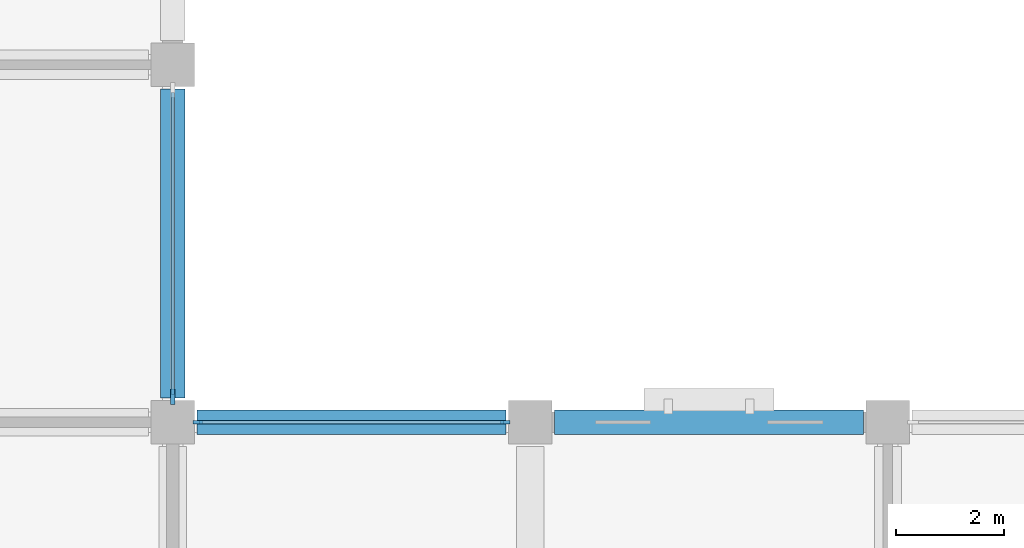
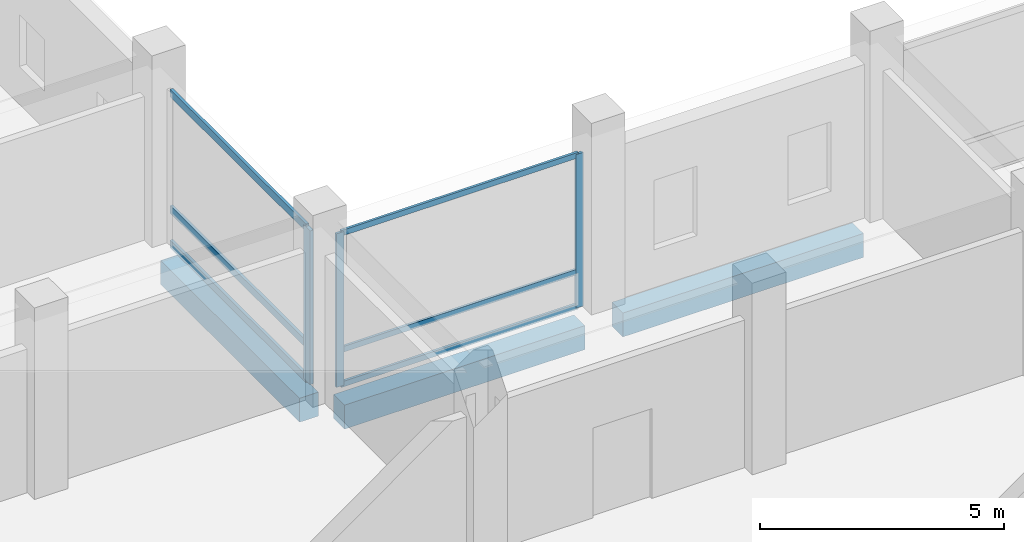
# One storey, part 3 of 34: 9 members, 3 beams, 2 elements without a shape of their own.
"""IFC4 building model written with IfcOpenShell, lengths in metres."""

from ifc_helpers import new_model, si_unit, direction, frame, origin, origin_2d, place, context, subcontext, project, spatial, rectangle, extrude, material, material_profile, profile_set, type_object, element, aggregate, save


model = new_model("IFC4")

# Units and contexts
model_context = context("Model", 3, precision=1e-05, world=origin(), true_north=direction((0.0, 1.0)))
body_context = subcontext(model_context, "Body", "Model", "MODEL_VIEW")
ifc_project = project(units=[si_unit("LENGTHUNIT", "METRE"), si_unit("AREAUNIT", "SQUARE_METRE"), si_unit("VOLUMEUNIT", "CUBIC_METRE"), si_unit("PLANEANGLEUNIT", "RADIAN"), si_unit("MASSUNIT", "GRAM", prefix="KILO")], contexts=[model_context])

# Site, building, storey
site_placement = place(None, origin())
site = spatial("IfcSite", under=ifc_project, at=site_placement, CompositionType="ELEMENT")
building_placement = place(site_placement, origin())
building = spatial("IfcBuilding", under=site, at=building_placement, Name="Rusizi Kubbe Research Institute", CompositionType="ELEMENT")
storey_placement = place(building_placement, frame((0.0, 0.0, 5.39990234375)))
storey = spatial("IfcBuildingStorey", under=building, at=storey_placement, Name="L01", CompositionType="ELEMENT", Elevation=5.39990234375)

# Beams
ifc_material_1 = material(Name="Concrete C40/50", Category="concrete")
ifc_material_profile_1 = material_profile(ifc_material_1, rectangle(XDim=0.449951171875, YDim=0.60009765625, at=origin_2d()), Name="RC450x600")
ifc_profile_set_1 = profile_set([ifc_material_profile_1], Name="Concrete C40/50")
beam_type = type_object("IfcBeamType", Name="BM-RC450x600", PredefinedType="SPANDREL", material=ifc_profile_set_1)
for number, where, z_axis, x_axis, name in (
    (1, (53.25, 26.39990234375, -0.64990234375), (1.0, 0.0, 0.0), (0.0, 1.0, 0.0), "Grid Beam H L01 (8,4)"),
    (2, (59.85009765625, 26.39990234375, -0.64990234375), (1.0, 0.0, 0.0), (0.0, 1.0, 0.0), "Grid Beam H L01 (9,4)"),
    (3, (52.800048828125, 26.85009765625, -0.64990234375), (0.0, 1.0, 0.0), (-1.0, 0.0, 0.0), "Grid Beam V L01 (8,4)"),
):
    element("IfcBeam", number, at=place(storey_placement, frame(where, z_axis=z_axis, x_axis=x_axis)), inside=storey, type_object=beam_type, Name=name, PredefinedType="SPANDREL", context=body_context, shape_type="SweptSolid", body=[
        extrude(rectangle(XDim=0.449951171875, YDim=0.60009765625, at=origin_2d()), origin(), (0.0, 0.0, 1.0), 5.699951171875),
    ])

# Curtain wall, members
ifc_material_2 = material(Name="Thermally Broken Aluminium and Low-E Glazing", Category="aluminium")
curtain_wall_type_1 = type_object("IfcCurtainWallType", Name="CW-18", PredefinedType="NOTDEFINED", material=ifc_material_2)
curtain_wall_1_placement = place(storey_placement, origin())
curtain_wall_1 = element("IfcCurtainWall", 4, at=curtain_wall_1_placement, inside=storey, type_object=curtain_wall_type_1, Name="Unitised Facade Curtain Wall CW-L01-H-08-04", PredefinedType="NOTDEFINED")
ifc_material_3 = material(Name="Aluminium Alloy 6063-T6", Category="aluminium")
ifc_material_profile_2 = material_profile(ifc_material_3, rectangle(XDim=0.06005859375, YDim=0.179931640625, at=origin_2d()), Name="ALU-M 60x180")
ifc_profile_set_2 = profile_set([ifc_material_profile_2], Name="Aluminium Alloy 6063-T6")
member_type_1 = type_object("IfcMemberType", Name="ML-02", PredefinedType="MULLION", material=ifc_profile_set_2)
member_1_placement = place(storey_placement, frame((53.260009765625, 26.39990234375, 0.0), z_axis=(0.0, 0.0, 1.0), x_axis=(0.0, 1.0, 0.0)))
member_1 = element("IfcMember", 5, at=member_1_placement, type_object=member_type_1, Name="CW-18 mullion 1", PredefinedType="MULLION", context=body_context, shape_type="SweptSolid", body=[
    extrude(rectangle(XDim=0.06005859375, YDim=0.179931640625, at=origin_2d()), origin(), (0.0, 0.0, 1.0), 3.85009765625),
])
member_2_placement = place(storey_placement, frame((58.93994140625, 26.39990234375, 0.0), z_axis=(0.0, 0.0, 1.0), x_axis=(0.0, 1.0, 0.0)))
member_2 = element("IfcMember", 6, at=member_2_placement, type_object=member_type_1, Name="CW-18 mullion 2", PredefinedType="MULLION", context=body_context, shape_type="SweptSolid", body=[
    extrude(rectangle(XDim=0.06005859375, YDim=0.179931640625, at=origin_2d()), origin(), (0.0, 0.0, 1.0), 3.85009765625),
])

# Curtain wall, member
ifc_material_4 = material(Name="Thermally Broken Aluminium and Low-E Glazing", Category="aluminium")
curtain_wall_type_2 = type_object("IfcCurtainWallType", Name="CW-17", PredefinedType="NOTDEFINED", material=ifc_material_4)
curtain_wall_2_placement = place(storey_placement, origin())
curtain_wall_2 = element("IfcCurtainWall", 7, at=curtain_wall_2_placement, inside=storey, type_object=curtain_wall_type_2, Name="Unitised Facade Curtain Wall CW-L01-V-08-04", PredefinedType="NOTDEFINED")
ifc_material_5 = material(Name="Aluminium Alloy 6063-T6", Category="aluminium")
ifc_material_profile_3 = material_profile(ifc_material_5, rectangle(XDim=0.080078125, YDim=0.280029296875, at=origin_2d()), Name="ALU-M 80x280")
ifc_profile_set_3 = profile_set([ifc_material_profile_3], Name="Aluminium Alloy 6063-T6")
member_type_2 = type_object("IfcMemberType", Name="ML-06", PredefinedType="MULLION", material=ifc_profile_set_3)
member_3_placement = place(storey_placement, frame((52.800048828125, 26.8701171875, 0.0), z_axis=(0.0, 0.0, 1.0), x_axis=(-1.0, 0.0, 0.0)))
member_3 = element("IfcMember", 8, at=member_3_placement, type_object=member_type_2, Name="CW-17 mullion 1", PredefinedType="MULLION", context=body_context, shape_type="SweptSolid", body=[
    extrude(rectangle(XDim=0.080078125, YDim=0.280029296875, at=origin_2d()), origin(), (0.0, 0.0, 1.0), 3.85009765625),
])

# Member
ifc_material_6 = material(Name="Aluminium Alloy 6063-T6", Category="aluminium")
ifc_material_profile_4 = material_profile(ifc_material_6, rectangle(XDim=0.06005859375, YDim=0.139892578125, at=origin_2d()), Name="ALU-T 60x140")
ifc_profile_set_4 = profile_set([ifc_material_profile_4], Name="Aluminium Alloy 6063-T6")
member_type_3 = type_object("IfcMemberType", Name="TR-02", PredefinedType="USERDEFINED", material=ifc_profile_set_4)
member_4_placement = place(storey_placement, frame((53.2900390625, 26.39990234375, 0.030029296875), z_axis=(1.0, 0.0, 0.0), x_axis=(0.0, 1.0, 0.0)))
member_4 = element("IfcMember", 9, at=member_4_placement, type_object=member_type_3, Name="CW-18 transom 1.1", ObjectType="TRANSOM", PredefinedType="USERDEFINED", context=body_context, shape_type="SweptSolid", body=[
    extrude(rectangle(XDim=0.06005859375, YDim=0.139892578125, at=origin_2d()), origin(), (0.0, 0.0, 1.0), 5.619873046875),
])

member_5_placement = place(storey_placement, frame((53.2900390625, 26.39990234375, 0.900146484375), z_axis=(1.0, 0.0, 0.0), x_axis=(0.0, 1.0, 0.0)))
member_5 = element("IfcMember", 10, at=member_5_placement, type_object=member_type_3, Name="CW-18 transom 1.2", ObjectType="TRANSOM", PredefinedType="USERDEFINED", context=body_context, shape_type="SweptSolid", body=[
    extrude(rectangle(XDim=0.06005859375, YDim=0.139892578125, at=origin_2d()), origin(), (0.0, 0.0, 1.0), 5.619873046875),
])

member_6_placement = place(storey_placement, frame((53.2900390625, 26.39990234375, 3.820068359375), z_axis=(1.0, 0.0, 0.0), x_axis=(0.0, 1.0, 0.0)))
member_6 = element("IfcMember", 11, at=member_6_placement, type_object=member_type_3, Name="CW-18 transom 1.3", ObjectType="TRANSOM", PredefinedType="USERDEFINED", context=body_context, shape_type="SweptSolid", body=[
    extrude(rectangle(XDim=0.06005859375, YDim=0.139892578125, at=origin_2d()), origin(), (0.0, 0.0, 1.0), 5.619873046875),
])

aggregate(curtain_wall_1, [member_1, member_2, member_4, member_5, member_6])

ifc_material_7 = material(Name="Aluminium Alloy 6063-T6", Category="aluminium")
ifc_material_profile_5 = material_profile(ifc_material_7, rectangle(XDim=0.070068359375, YDim=0.18994140625, at=origin_2d()), Name="ALU-T 70x190")
ifc_profile_set_5 = profile_set([ifc_material_profile_5], Name="Aluminium Alloy 6063-T6")
member_type_4 = type_object("IfcMemberType", Name="TR-04", PredefinedType="USERDEFINED", material=ifc_profile_set_5)
member_7_placement = place(storey_placement, frame((52.800048828125, 26.909912109375, 0.03515625), z_axis=(0.0, 1.0, 0.0), x_axis=(-1.0, 0.0, 0.0)))
member_7 = element("IfcMember", 12, at=member_7_placement, type_object=member_type_4, Name="CW-17 transom 1.1", ObjectType="TRANSOM", PredefinedType="USERDEFINED", context=body_context, shape_type="SweptSolid", body=[
    extrude(rectangle(XDim=0.070068359375, YDim=0.18994140625, at=origin_2d()), origin(), (0.0, 0.0, 1.0), 5.580078125),
])

member_8_placement = place(storey_placement, frame((52.800048828125, 26.909912109375, 0.900146484375), z_axis=(0.0, 1.0, 0.0), x_axis=(-1.0, 0.0, 0.0)))
member_8 = element("IfcMember", 13, at=member_8_placement, type_object=member_type_4, Name="CW-17 transom 1.2", ObjectType="TRANSOM", PredefinedType="USERDEFINED", context=body_context, shape_type="SweptSolid", body=[
    extrude(rectangle(XDim=0.070068359375, YDim=0.18994140625, at=origin_2d()), origin(), (0.0, 0.0, 1.0), 5.580078125),
])

member_9_placement = place(storey_placement, frame((52.800048828125, 26.909912109375, 3.815185546875), z_axis=(0.0, 1.0, 0.0), x_axis=(-1.0, 0.0, 0.0)))
member_9 = element("IfcMember", 14, at=member_9_placement, type_object=member_type_4, Name="CW-17 transom 1.3", ObjectType="TRANSOM", PredefinedType="USERDEFINED", context=body_context, shape_type="SweptSolid", body=[
    extrude(rectangle(XDim=0.070068359375, YDim=0.18994140625, at=origin_2d()), origin(), (0.0, 0.0, 1.0), 5.580078125),
])

aggregate(curtain_wall_2, [member_3, member_7, member_8, member_9])

save(model, "model.ifc")
